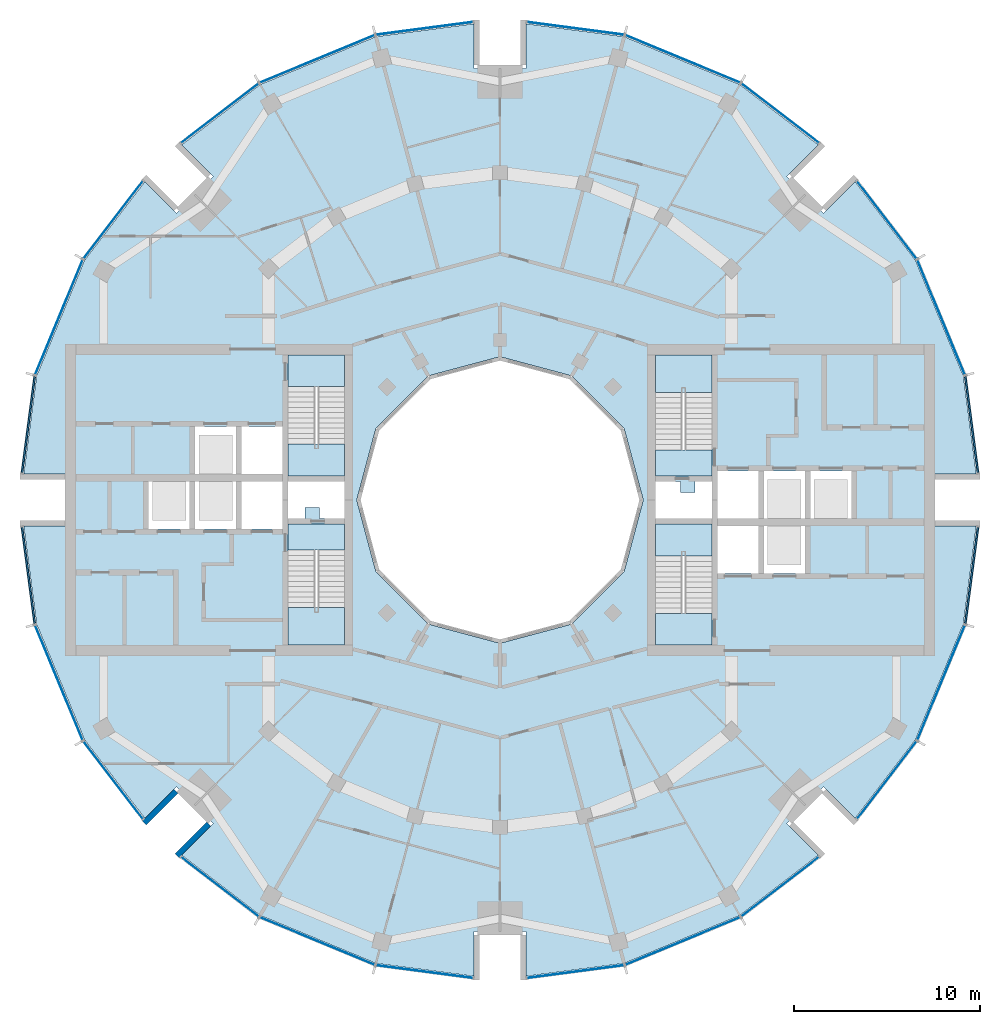
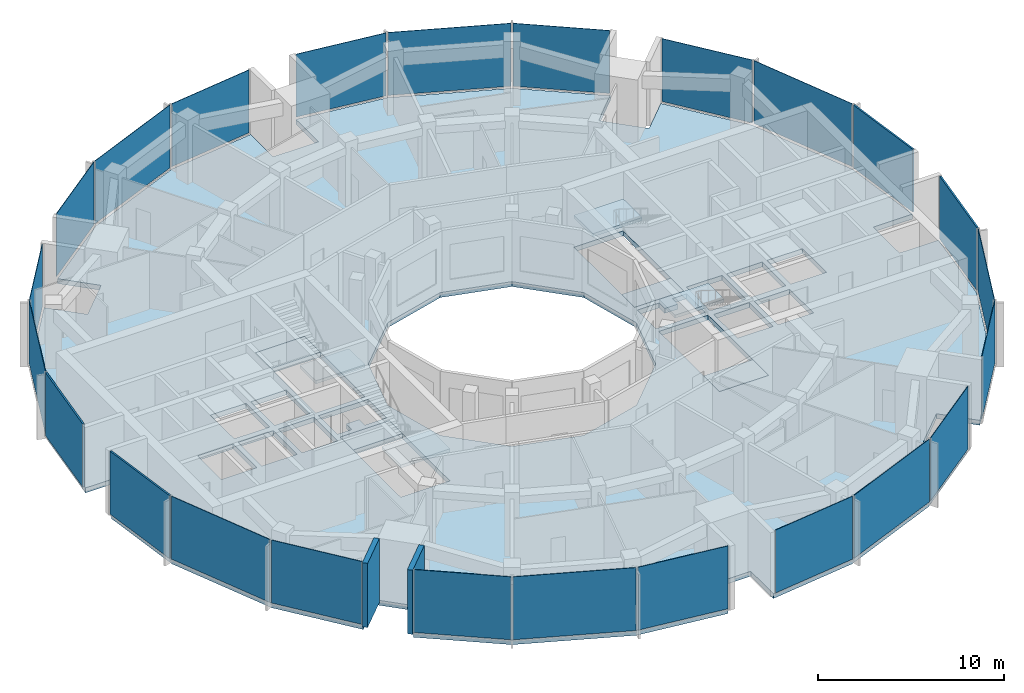
# One storey, part 7 of 15: 24 plates, 9 slabs, 2 walls, 28 elements without a shape of their own.
"""IFC4 building model written with IfcOpenShell, lengths in metres."""

import ifcopenshell
import ifcopenshell.guid

model = None  # the IFC model being written
_history = None  # IfcOwnerHistory: only IFC2X3 demands one
_inside = {}  # id of a spatial element -> (the spatial element, [elements in it])
_under = {}  # id of a project, library or spatial element -> (it, [spatial elements below it])
_declared = {}  # id of a project -> (the project, [libraries it declares])
_typed = {}  # id of a type object -> (the type object, [elements of that type])
_made_of = {}  # id of a material, layer set ... -> (it, [elements and type objects made of it])


def new_model(schema):
    """Start an empty IFC model of exactly this schema.

    Asked for "IFC4X3", IfcOpenShell would pick the latest addendum, in which some entities
    have other attributes; the version numbers below select the first issue.
    IFC2X3 requires an IfcOwnerHistory on every rooted entity: one is made here for all.
    """
    global model, _history
    if schema == "IFC4X3":
        model = ifcopenshell.file(schema_version=(4, 3, 0, 0))
    else:
        model = ifcopenshell.file(schema=schema)
    _inside.clear()
    _under.clear()
    _declared.clear()
    _typed.clear()
    _made_of.clear()
    _history = None
    if model.schema == "IFC2X3":
        org = make("IfcOrganization", Name="unknown")
        user = make(
            "IfcPersonAndOrganization",
            ThePerson=make("IfcPerson", FamilyName="unknown"),
            TheOrganization=org,
        )
        app = make(
            "IfcApplication",
            ApplicationDeveloper=org,
            Version="unknown",
            ApplicationFullName="unknown",
            ApplicationIdentifier="unknown",
        )
        _history = make(
            "IfcOwnerHistory",
            OwningUser=user,
            OwningApplication=app,
            ChangeAction="ADDED",
            CreationDate=0,
        )
    return model


def make(cls, **values):
    """One entity of the class cls with the attributes given. An attribute that is None is left unset."""
    return model.create_entity(
        cls, **{name: value for name, value in values.items() if value is not None}
    )


def rooted(cls, **values):
    """An entity with a GlobalId (a new one), such as an element, a storey or a relation."""
    return make(cls, GlobalId=ifcopenshell.guid.new(), OwnerHistory=_history, **values)


def si_unit(unit_type, name, prefix=None):
    """IfcSIUnit, for example si_unit("LENGTHUNIT", "METRE", prefix="MILLI")."""
    return make("IfcSIUnit", UnitType=unit_type, Prefix=prefix, Name=name)


def assignment(units):
    """IfcUnitAssignment: the units of a project."""
    return None if units is None else make("IfcUnitAssignment", Units=units)


def point(xyz):
    """IfcCartesianPoint."""
    return None if xyz is None else make("IfcCartesianPoint", Coordinates=xyz)


def direction(xyz):
    """IfcDirection."""
    return None if xyz is None else make("IfcDirection", DirectionRatios=xyz)


def frame(location, z_axis=None, x_axis=None):
    """IfcAxis2Placement3D, a coordinate frame: its origin and axes. An axis left out is left unset."""
    return make(
        "IfcAxis2Placement3D",
        Location=point(location),
        Axis=direction(z_axis),
        RefDirection=direction(x_axis),
    )


def frame_2d(location, x_axis=None):
    """IfcAxis2Placement2D, a coordinate frame in the plane: its origin and x axis."""
    return make(
        "IfcAxis2Placement2D", Location=point(location), RefDirection=direction(x_axis)
    )


def origin():
    """The frame at (0, 0, 0) with its axes left unset."""
    return frame((0.0, 0.0, 0.0))


def origin_2d():
    """The frame at (0, 0) in the plane with its x axis left unset."""
    return frame_2d((0.0, 0.0))


def place(relative_to, where):
    """IfcLocalPlacement: puts the frame where relative to a parent placement (None: the world)."""
    return make(
        "IfcLocalPlacement", PlacementRelTo=relative_to, RelativePlacement=where
    )


def context(
    kind, dimensions, precision=None, world=None, true_north=None, identifier=None
):
    """IfcGeometricRepresentationContext, for example the 3D "Model" context."""
    return make(
        "IfcGeometricRepresentationContext",
        ContextIdentifier=identifier,
        ContextType=kind,
        CoordinateSpaceDimension=dimensions,
        Precision=precision,
        WorldCoordinateSystem=world,
        TrueNorth=true_north,
    )


def subcontext(parent, identifier, kind, view, scale=None):
    """IfcGeometricRepresentationSubContext, for example "Body" below "Model"."""
    return make(
        "IfcGeometricRepresentationSubContext",
        ContextIdentifier=identifier,
        ContextType=kind,
        ParentContext=parent,
        TargetScale=scale,
        TargetView=view,
    )


def project(units=None, contexts=None):
    """IfcProject with its units and contexts."""
    return rooted(
        "IfcProject",
        Name="project",
        RepresentationContexts=contexts,
        UnitsInContext=assignment(units),
    )


def spatial(cls, under=None, at=None, **own):
    """A site, building, storey or space (cls), placed at a placement, below another one or the project."""
    s = rooted(cls, ObjectPlacement=at, **own)
    if under is not None:
        _under.setdefault(under.id(), (under, []))[1].append(s)
    return s


def polyline(points):
    """IfcPolyline through the points."""
    return make("IfcPolyline", Points=[point(p) for p in points])


def profile(cls, at=None, kind="AREA", **sizes):
    """A parametric profile (cls). Its sizes go by their IFC names, for example OverallWidth=200.0."""
    return make(cls, ProfileType=kind, Position=at, **sizes)


def rectangle(**sizes):
    """IfcRectangleProfileDef."""
    return profile("IfcRectangleProfileDef", **sizes)


def outline(outer, holes=None, kind="AREA"):
    """IfcArbitraryClosedProfileDef: a profile drawn as a closed curve; with holes, ...WithVoids."""
    if holes is None:
        return make("IfcArbitraryClosedProfileDef", ProfileType=kind, OuterCurve=outer)
    return make(
        "IfcArbitraryProfileDefWithVoids",
        ProfileType=kind,
        OuterCurve=outer,
        InnerCurves=holes,
    )


def extrude(swept, where, along, depth):
    """IfcExtrudedAreaSolid: the profile swept, set in the frame where, extruded along a direction by depth."""
    return make(
        "IfcExtrudedAreaSolid",
        SweptArea=swept,
        Position=where,
        ExtrudedDirection=direction(along),
        Depth=depth,
    )


def shape(context_of_items, identifier, shape_type, items):
    """IfcShapeRepresentation: the items that make up one representation, for example the "Body"."""
    return make(
        "IfcShapeRepresentation",
        ContextOfItems=context_of_items,
        RepresentationIdentifier=identifier,
        RepresentationType=shape_type,
        Items=items,
    )


def material(Name=None, Category=None):
    """IfcMaterial."""
    return make("IfcMaterial", Name=Name, Category=Category)


def layer(
    of_material, thickness, ventilated=None, Name=None, Category=None, Priority=None
):
    """IfcMaterialLayer: one layer of a wall or slab, of a material (None: an air gap)."""
    return make(
        "IfcMaterialLayer",
        Material=of_material,
        LayerThickness=thickness,
        IsVentilated=ventilated,
        Name=Name,
        Category=Category,
        Priority=Priority,
    )


def layer_set(layers, Name=None):
    """IfcMaterialLayerSet."""
    return make("IfcMaterialLayerSet", MaterialLayers=layers, LayerSetName=Name)


def made_of(thing, what):
    """Note that an element or type object is made of a material, layer set ...; save() writes the relation."""
    if what is not None:
        _made_of.setdefault(what.id(), (what, []))[1].append(thing)
    return thing


def type_object(cls, material=None, **own):
    """A type object (cls), such as IfcWallType, which elements share."""
    return made_of(rooted(cls, **own), material)


def element(
    cls,
    number,
    at=None,
    inside=None,
    cuts=None,
    type_object=None,
    material=None,
    context=None,
    identifier="Body",
    shape_type=None,
    held_by="IfcProductDefinitionShape",
    body=None,
    shapes=None,
    **own,
):
    """One element of the class cls, such as IfcWall. Its Tag is "e" and its number.

    at: its placement. inside: the storey or other place that contains it. cuts: it is an
    opening in that element (IfcRelVoidsElement). A single representation is given by context,
    identifier, shape_type and body (its items); several are given by shapes. held_by: the class
    of the entity that holds the representations. save() writes the other relations.
    """
    e = rooted(cls, Tag="e%d" % number, ObjectPlacement=at, **own)
    if body is not None:
        shapes = [shape(context, identifier, shape_type, body)]
    if shapes is not None:
        e.Representation = make(held_by, Representations=shapes)
    if inside is not None:
        _inside.setdefault(inside.id(), (inside, []))[1].append(e)
    if cuts is not None:
        rooted(
            "IfcRelVoidsElement", RelatingBuildingElement=cuts, RelatedOpeningElement=e
        )
    if type_object is not None:
        _typed.setdefault(type_object.id(), (type_object, []))[1].append(e)
    return made_of(e, material)


def aggregate(whole, parts):
    """IfcRelAggregates: a whole, such as a stair, and the parts it consists of."""
    return rooted("IfcRelAggregates", RelatingObject=whole, RelatedObjects=parts)


def save(model, path):
    """Write the relations noted so far, then the file.

    IfcRelAggregates (storeys below a building ...), IfcRelContainedInSpatialStructure (elements
    in a storey), IfcRelDefinesByType, IfcRelAssociatesMaterial and IfcRelDeclares: one each for
    every whole, place, type object, material and project.
    """
    for whole, parts in _under.values():
        aggregate(whole, parts)
    for where, things in _inside.values():
        rooted(
            "IfcRelContainedInSpatialStructure",
            RelatedElements=things,
            RelatingStructure=where,
        )
    for kind, things in _typed.values():
        rooted("IfcRelDefinesByType", RelatedObjects=things, RelatingType=kind)
    for what, things in _made_of.values():
        rooted("IfcRelAssociatesMaterial", RelatedObjects=things, RelatingMaterial=what)
    for by, libraries in _declared.values():
        rooted("IfcRelDeclares", RelatingContext=by, RelatedDefinitions=libraries)
    model.write(path)


model = new_model("IFC4")

# Units and contexts
model_context = context("Model", 3, precision=1e-05, world=origin(), true_north=direction((0.0, 1.0)))
body_context = subcontext(model_context, "Body", "Model", "MODEL_VIEW")
ifc_project = project(units=[si_unit("LENGTHUNIT", "METRE"), si_unit("AREAUNIT", "SQUARE_METRE"), si_unit("VOLUMEUNIT", "CUBIC_METRE"), si_unit("PLANEANGLEUNIT", "RADIAN"), si_unit("MASSUNIT", "GRAM", prefix="KILO")], contexts=[model_context])

# Site, building, storey
site_placement = place(None, origin())
site = spatial("IfcSite", under=ifc_project, at=site_placement, CompositionType="ELEMENT")
building_placement = place(site_placement, origin())
building = spatial("IfcBuilding", under=site, at=building_placement, Name="Torre Brocal", CompositionType="ELEMENT")
storey_placement = place(building_placement, frame((0.0, 0.0, 241.5)))
storey = spatial("IfcBuildingStorey", under=building, at=storey_placement, Name="L55", CompositionType="ELEMENT", Elevation=241.5)

# Curtain wall, plate
ifc_material_1 = material(Name="Aluminium and glass", Category="aluminium")
ifc_layer_1 = layer(ifc_material_1, 0.199951171875)
ifc_layer_set_1 = layer_set([ifc_layer_1], Name="Aluminium and glass")
curtain_wall_type_1 = type_object("IfcCurtainWallType", Name="CW-1 CURTAIN WALL 4200 HIGH", PredefinedType="NOTDEFINED", material=ifc_layer_set_1)
curtain_wall_1_placement = place(storey_placement, origin())
curtain_wall_1 = element("IfcCurtainWall", 1, at=curtain_wall_1_placement, inside=storey, type_object=curtain_wall_type_1, Name="CW-1 RUN 2", PredefinedType="NOTDEFINED")
ifc_material_2 = material(Name="Glass, dark tinted laminated", Category="glass")
ifc_layer_2 = layer(ifc_material_2, 0.031982421875)
ifc_layer_set_2 = layer_set([ifc_layer_2], Name="Glass, dark tinted laminated")
plate_type_1 = type_object("IfcPlateType", Name="CW-1 GLASS PANEL 32", PredefinedType="CURTAIN_PANEL", material=ifc_layer_set_2)
plate_1_placement = place(storey_placement, frame((103.722900390625, 84.826416015625, 0.079833984375), z_axis=(0.0, 0.0, 1.0), x_axis=(-0.382683432333, 0.923879532525, 0.0)))
plate_1 = element("IfcPlate", 2, at=plate_1_placement, type_object=plate_type_1, Name="CW1-5 panel 1.1", PredefinedType="CURTAIN_PANEL", context=body_context, shape_type="SweptSolid", body=[
    extrude(rectangle(XDim=6.64111328125, YDim=0.031982421875, at=origin_2d()), origin(), (0.0, 0.0, 1.0), 4.1201171875),
])
aggregate(curtain_wall_1, [plate_1])

curtain_wall_2_placement = place(storey_placement, origin())
curtain_wall_2 = element("IfcCurtainWall", 3, at=curtain_wall_2_placement, inside=storey, type_object=curtain_wall_type_1, Name="CW-1 RUN 3", PredefinedType="NOTDEFINED")
plate_2_placement = place(storey_placement, frame((100.80126953125, 90.0712890625, 0.079833984375), z_axis=(0.0, 0.0, 1.0), x_axis=(-0.60876142905, 0.793353340259, 0.0)))
plate_2 = element("IfcPlate", 4, at=plate_2_placement, type_object=plate_type_1, Name="CW1-5 panel 1.1", PredefinedType="CURTAIN_PANEL", context=body_context, shape_type="SweptSolid", body=[
    extrude(rectangle(XDim=5.22900390625, YDim=0.031982421875, at=origin_2d()), origin(), (0.0, 0.0, 1.0), 4.1201171875),
])
aggregate(curtain_wall_2, [plate_2])

curtain_wall_3_placement = place(storey_placement, origin())
curtain_wall_3 = element("IfcCurtainWall", 5, at=curtain_wall_3_placement, inside=storey, type_object=curtain_wall_type_1, Name="CW-1 RUN 4", PredefinedType="NOTDEFINED")
plate_3_placement = place(storey_placement, frame((95.0712890625, 95.80126953125, 0.079833984375), z_axis=(0.0, 0.0, 1.0), x_axis=(-0.793353340259, 0.60876142905, 0.0)))
plate_3 = element("IfcPlate", 6, at=plate_3_placement, type_object=plate_type_1, Name="CW1-5 panel 1.1", PredefinedType="CURTAIN_PANEL", context=body_context, shape_type="SweptSolid", body=[
    extrude(rectangle(XDim=5.22900390625, YDim=0.031982421875, at=origin_2d()), origin(), (0.0, 0.0, 1.0), 4.1201171875),
])
aggregate(curtain_wall_3, [plate_3])

curtain_wall_4_placement = place(storey_placement, origin())
curtain_wall_4 = element("IfcCurtainWall", 7, at=curtain_wall_4_placement, inside=storey, type_object=curtain_wall_type_1, Name="CW-1 RUN 5", PredefinedType="NOTDEFINED")
plate_4_placement = place(storey_placement, frame((89.826416015625, 98.722900390625, 0.079833984375), z_axis=(0.0, 0.0, 1.0), x_axis=(-0.923879532525, 0.382683432333, 0.0)))
plate_4 = element("IfcPlate", 8, at=plate_4_placement, type_object=plate_type_1, Name="CW1-5 panel 1.1", PredefinedType="CURTAIN_PANEL", context=body_context, shape_type="SweptSolid", body=[
    extrude(rectangle(XDim=6.64111328125, YDim=0.031982421875, at=origin_2d()), origin(), (0.0, 0.0, 1.0), 4.1201171875),
])
aggregate(curtain_wall_4, [plate_4])

curtain_wall_5_placement = place(storey_placement, origin())
curtain_wall_5 = element("IfcCurtainWall", 9, at=curtain_wall_5_placement, inside=storey, type_object=curtain_wall_type_1, Name="CW-1 RUN 6", PredefinedType="NOTDEFINED")
plate_5_placement = place(storey_placement, frame((84.051513671875, 100.36572265625, 0.079833984375), z_axis=(0.0, 0.0, 1.0), x_axis=(-0.991444861374, 0.13052619222, 0.0)))
plate_5 = element("IfcPlate", 10, at=plate_5_placement, type_object=plate_type_1, Name="CW1-5 panel 1.1", PredefinedType="CURTAIN_PANEL", context=body_context, shape_type="SweptSolid", body=[
    extrude(rectangle(XDim=5.22900390625, YDim=0.031982421875, at=origin_2d()), origin(), (0.0, 0.0, 1.0), 4.1201171875),
])
aggregate(curtain_wall_5, [plate_5])

curtain_wall_6_placement = place(storey_placement, origin())
curtain_wall_6 = element("IfcCurtainWall", 11, at=curtain_wall_6_placement, inside=storey, type_object=curtain_wall_type_1, Name="CW-1 RUN 7", PredefinedType="NOTDEFINED")
plate_6_placement = place(storey_placement, frame((75.948486328125, 100.36572265625, 0.079833984375), z_axis=(0.0, 0.0, 1.0), x_axis=(-0.991444861374, -0.13052619222, 0.0)))
plate_6 = element("IfcPlate", 12, at=plate_6_placement, type_object=plate_type_1, Name="CW1-5 panel 1.1", PredefinedType="CURTAIN_PANEL", context=body_context, shape_type="SweptSolid", body=[
    extrude(rectangle(XDim=5.22900390625, YDim=0.031982421875, at=origin_2d()), origin(), (0.0, 0.0, 1.0), 4.1201171875),
])
aggregate(curtain_wall_6, [plate_6])

curtain_wall_7_placement = place(storey_placement, origin())
curtain_wall_7 = element("IfcCurtainWall", 13, at=curtain_wall_7_placement, inside=storey, type_object=curtain_wall_type_1, Name="CW-1 RUN 8", PredefinedType="NOTDEFINED")
plate_7_placement = place(storey_placement, frame((70.173583984375, 98.722900390625, 0.079833984375), z_axis=(0.0, 0.0, 1.0), x_axis=(-0.923879532525, -0.382683432333, 0.0)))
plate_7 = element("IfcPlate", 14, at=plate_7_placement, type_object=plate_type_1, Name="CW1-5 panel 1.1", PredefinedType="CURTAIN_PANEL", context=body_context, shape_type="SweptSolid", body=[
    extrude(rectangle(XDim=6.64111328125, YDim=0.031982421875, at=origin_2d()), origin(), (0.0, 0.0, 1.0), 4.1201171875),
])
aggregate(curtain_wall_7, [plate_7])

curtain_wall_8_placement = place(storey_placement, origin())
curtain_wall_8 = element("IfcCurtainWall", 15, at=curtain_wall_8_placement, inside=storey, type_object=curtain_wall_type_1, Name="CW-1 RUN 9", PredefinedType="NOTDEFINED")
plate_8_placement = place(storey_placement, frame((64.9287109375, 95.80126953125, 0.079833984375), z_axis=(0.0, 0.0, 1.0), x_axis=(-0.793353340259, -0.60876142905, 0.0)))
plate_8 = element("IfcPlate", 16, at=plate_8_placement, type_object=plate_type_1, Name="CW1-5 panel 1.1", PredefinedType="CURTAIN_PANEL", context=body_context, shape_type="SweptSolid", body=[
    extrude(rectangle(XDim=5.22900390625, YDim=0.031982421875, at=origin_2d()), origin(), (0.0, 0.0, 1.0), 4.1201171875),
])
aggregate(curtain_wall_8, [plate_8])

curtain_wall_9_placement = place(storey_placement, origin())
curtain_wall_9 = element("IfcCurtainWall", 17, at=curtain_wall_9_placement, inside=storey, type_object=curtain_wall_type_1, Name="CW-1 RUN 10", PredefinedType="NOTDEFINED")
plate_9_placement = place(storey_placement, frame((59.19873046875, 90.0712890625, 0.079833984375), z_axis=(0.0, 0.0, 1.0), x_axis=(-0.60876142905, -0.793353340259, 0.0)))
plate_9 = element("IfcPlate", 18, at=plate_9_placement, type_object=plate_type_1, Name="CW1-5 panel 1.1", PredefinedType="CURTAIN_PANEL", context=body_context, shape_type="SweptSolid", body=[
    extrude(rectangle(XDim=5.22900390625, YDim=0.031982421875, at=origin_2d()), origin(), (0.0, 0.0, 1.0), 4.1201171875),
])
aggregate(curtain_wall_9, [plate_9])

curtain_wall_10_placement = place(storey_placement, origin())
curtain_wall_10 = element("IfcCurtainWall", 19, at=curtain_wall_10_placement, inside=storey, type_object=curtain_wall_type_1, Name="CW-1 RUN 11", PredefinedType="NOTDEFINED")
plate_10_placement = place(storey_placement, frame((56.277099609375, 84.826416015625, 0.079833984375), z_axis=(0.0, 0.0, 1.0), x_axis=(-0.382683432333, -0.923879532525, 0.0)))
plate_10 = element("IfcPlate", 20, at=plate_10_placement, type_object=plate_type_1, Name="CW1-5 panel 1.1", PredefinedType="CURTAIN_PANEL", context=body_context, shape_type="SweptSolid", body=[
    extrude(rectangle(XDim=6.64111328125, YDim=0.031982421875, at=origin_2d()), origin(), (0.0, 0.0, 1.0), 4.1201171875),
])
aggregate(curtain_wall_10, [plate_10])

curtain_wall_11_placement = place(storey_placement, origin())
curtain_wall_11 = element("IfcCurtainWall", 21, at=curtain_wall_11_placement, inside=storey, type_object=curtain_wall_type_1, Name="CW-1 RUN 14", PredefinedType="NOTDEFINED")
plate_11_placement = place(storey_placement, frame((56.277099609375, 65.173583984375, 0.079833984375), z_axis=(0.0, 0.0, 1.0), x_axis=(0.382683432333, -0.923879532525, 0.0)))
plate_11 = element("IfcPlate", 22, at=plate_11_placement, type_object=plate_type_1, Name="CW1-5 panel 1.1", PredefinedType="CURTAIN_PANEL", context=body_context, shape_type="SweptSolid", body=[
    extrude(rectangle(XDim=6.64111328125, YDim=0.031982421875, at=origin_2d()), origin(), (0.0, 0.0, 1.0), 4.1201171875),
])
aggregate(curtain_wall_11, [plate_11])

curtain_wall_12_placement = place(storey_placement, origin())
curtain_wall_12 = element("IfcCurtainWall", 23, at=curtain_wall_12_placement, inside=storey, type_object=curtain_wall_type_1, Name="CW-1 RUN 15", PredefinedType="NOTDEFINED")
plate_12_placement = place(storey_placement, frame((59.19873046875, 59.9287109375, 0.079833984375), z_axis=(0.0, 0.0, 1.0), x_axis=(0.60876142905, -0.793353340259, 0.0)))
plate_12 = element("IfcPlate", 24, at=plate_12_placement, type_object=plate_type_1, Name="CW1-5 panel 1.1", PredefinedType="CURTAIN_PANEL", context=body_context, shape_type="SweptSolid", body=[
    extrude(rectangle(XDim=5.22900390625, YDim=0.031982421875, at=origin_2d()), origin(), (0.0, 0.0, 1.0), 4.1201171875),
])
aggregate(curtain_wall_12, [plate_12])

curtain_wall_13_placement = place(storey_placement, origin())
curtain_wall_13 = element("IfcCurtainWall", 25, at=curtain_wall_13_placement, inside=storey, type_object=curtain_wall_type_1, Name="CW-1 RUN 16", PredefinedType="NOTDEFINED")
plate_13_placement = place(storey_placement, frame((64.9287109375, 54.19873046875, 0.079833984375), z_axis=(0.0, 0.0, 1.0), x_axis=(0.793353340259, -0.60876142905, 0.0)))
plate_13 = element("IfcPlate", 26, at=plate_13_placement, type_object=plate_type_1, Name="CW1-5 panel 1.1", PredefinedType="CURTAIN_PANEL", context=body_context, shape_type="SweptSolid", body=[
    extrude(rectangle(XDim=5.22900390625, YDim=0.031982421875, at=origin_2d()), origin(), (0.0, 0.0, 1.0), 4.1201171875),
])
aggregate(curtain_wall_13, [plate_13])

curtain_wall_14_placement = place(storey_placement, origin())
curtain_wall_14 = element("IfcCurtainWall", 27, at=curtain_wall_14_placement, inside=storey, type_object=curtain_wall_type_1, Name="CW-1 RUN 17", PredefinedType="NOTDEFINED")
plate_14_placement = place(storey_placement, frame((70.173583984375, 51.277099609375, 0.079833984375), z_axis=(0.0, 0.0, 1.0), x_axis=(0.923879532525, -0.382683432333, 0.0)))
plate_14 = element("IfcPlate", 28, at=plate_14_placement, type_object=plate_type_1, Name="CW1-5 panel 1.1", PredefinedType="CURTAIN_PANEL", context=body_context, shape_type="SweptSolid", body=[
    extrude(rectangle(XDim=6.64111328125, YDim=0.031982421875, at=origin_2d()), origin(), (0.0, 0.0, 1.0), 4.1201171875),
])
aggregate(curtain_wall_14, [plate_14])

curtain_wall_15_placement = place(storey_placement, origin())
curtain_wall_15 = element("IfcCurtainWall", 29, at=curtain_wall_15_placement, inside=storey, type_object=curtain_wall_type_1, Name="CW-1 RUN 18", PredefinedType="NOTDEFINED")
plate_15_placement = place(storey_placement, frame((75.948486328125, 49.63427734375, 0.079833984375), z_axis=(0.0, 0.0, 1.0), x_axis=(0.991444861374, -0.13052619222, 0.0)))
plate_15 = element("IfcPlate", 30, at=plate_15_placement, type_object=plate_type_1, Name="CW1-5 panel 1.1", PredefinedType="CURTAIN_PANEL", context=body_context, shape_type="SweptSolid", body=[
    extrude(rectangle(XDim=5.22900390625, YDim=0.031982421875, at=origin_2d()), origin(), (0.0, 0.0, 1.0), 4.1201171875),
])
aggregate(curtain_wall_15, [plate_15])

curtain_wall_16_placement = place(storey_placement, origin())
curtain_wall_16 = element("IfcCurtainWall", 31, at=curtain_wall_16_placement, inside=storey, type_object=curtain_wall_type_1, Name="CW-1 RUN 19", PredefinedType="NOTDEFINED")
plate_16_placement = place(storey_placement, frame((84.051513671875, 49.63427734375, 0.079833984375), z_axis=(0.0, 0.0, 1.0), x_axis=(0.991444861374, 0.13052619222, 0.0)))
plate_16 = element("IfcPlate", 32, at=plate_16_placement, type_object=plate_type_1, Name="CW1-5 panel 1.1", PredefinedType="CURTAIN_PANEL", context=body_context, shape_type="SweptSolid", body=[
    extrude(rectangle(XDim=5.22900390625, YDim=0.031982421875, at=origin_2d()), origin(), (0.0, 0.0, 1.0), 4.1201171875),
])
aggregate(curtain_wall_16, [plate_16])

curtain_wall_17_placement = place(storey_placement, origin())
curtain_wall_17 = element("IfcCurtainWall", 33, at=curtain_wall_17_placement, inside=storey, type_object=curtain_wall_type_1, Name="CW-1 RUN 20", PredefinedType="NOTDEFINED")
plate_17_placement = place(storey_placement, frame((89.826416015625, 51.277099609375, 0.079833984375), z_axis=(0.0, 0.0, 1.0), x_axis=(0.923879532525, 0.382683432333, 0.0)))
plate_17 = element("IfcPlate", 34, at=plate_17_placement, type_object=plate_type_1, Name="CW1-5 panel 1.1", PredefinedType="CURTAIN_PANEL", context=body_context, shape_type="SweptSolid", body=[
    extrude(rectangle(XDim=6.64111328125, YDim=0.031982421875, at=origin_2d()), origin(), (0.0, 0.0, 1.0), 4.1201171875),
])
aggregate(curtain_wall_17, [plate_17])

curtain_wall_18_placement = place(storey_placement, origin())
curtain_wall_18 = element("IfcCurtainWall", 35, at=curtain_wall_18_placement, inside=storey, type_object=curtain_wall_type_1, Name="CW-1 RUN 21", PredefinedType="NOTDEFINED")
plate_18_placement = place(storey_placement, frame((95.0712890625, 54.19873046875, 0.079833984375), z_axis=(0.0, 0.0, 1.0), x_axis=(0.793353340259, 0.60876142905, 0.0)))
plate_18 = element("IfcPlate", 36, at=plate_18_placement, type_object=plate_type_1, Name="CW1-5 panel 1.1", PredefinedType="CURTAIN_PANEL", context=body_context, shape_type="SweptSolid", body=[
    extrude(rectangle(XDim=5.22900390625, YDim=0.031982421875, at=origin_2d()), origin(), (0.0, 0.0, 1.0), 4.1201171875),
])
aggregate(curtain_wall_18, [plate_18])

curtain_wall_19_placement = place(storey_placement, origin())
curtain_wall_19 = element("IfcCurtainWall", 37, at=curtain_wall_19_placement, inside=storey, type_object=curtain_wall_type_1, Name="CW-1 RUN 22", PredefinedType="NOTDEFINED")
plate_19_placement = place(storey_placement, frame((100.80126953125, 59.9287109375, 0.079833984375), z_axis=(0.0, 0.0, 1.0), x_axis=(0.60876142905, 0.793353340259, 0.0)))
plate_19 = element("IfcPlate", 38, at=plate_19_placement, type_object=plate_type_1, Name="CW1-5 panel 1.1", PredefinedType="CURTAIN_PANEL", context=body_context, shape_type="SweptSolid", body=[
    extrude(rectangle(XDim=5.22900390625, YDim=0.031982421875, at=origin_2d()), origin(), (0.0, 0.0, 1.0), 4.1201171875),
])
aggregate(curtain_wall_19, [plate_19])

curtain_wall_20_placement = place(storey_placement, origin())
curtain_wall_20 = element("IfcCurtainWall", 39, at=curtain_wall_20_placement, inside=storey, type_object=curtain_wall_type_1, Name="CW-1 RUN 23", PredefinedType="NOTDEFINED")
plate_20_placement = place(storey_placement, frame((103.722900390625, 65.173583984375, 0.079833984375), z_axis=(0.0, 0.0, 1.0), x_axis=(0.382683432333, 0.923879532525, 0.0)))
plate_20 = element("IfcPlate", 40, at=plate_20_placement, type_object=plate_type_1, Name="CW1-5 panel 1.1", PredefinedType="CURTAIN_PANEL", context=body_context, shape_type="SweptSolid", body=[
    extrude(rectangle(XDim=6.64111328125, YDim=0.031982421875, at=origin_2d()), origin(), (0.0, 0.0, 1.0), 4.1201171875),
])
aggregate(curtain_wall_20, [plate_20])

ifc_material_3 = material(Name="Aluminium and glass", Category="aluminium")
ifc_layer_3 = layer(ifc_material_3, 0.199951171875)
ifc_layer_set_3 = layer_set([ifc_layer_3], Name="Aluminium and glass")
curtain_wall_type_2 = type_object("IfcCurtainWallType", Name="CW-1B CURTAIN WALL 4200 HIGH", PredefinedType="NOTDEFINED", material=ifc_layer_set_3)
curtain_wall_21_placement = place(storey_placement, origin())
curtain_wall_21 = element("IfcCurtainWall", 41, at=curtain_wall_21_placement, inside=storey, type_object=curtain_wall_type_2, Name="CW-1B RUN 1", PredefinedType="NOTDEFINED")
ifc_material_4 = material(Name="Aluminium composite panel", Category="aluminium")
ifc_layer_4 = layer(ifc_material_4, 0.10009765625)
ifc_layer_set_4 = layer_set([ifc_layer_4], Name="Aluminium composite panel")
plate_type_2 = type_object("IfcPlateType", Name="CW-1B OPAQUE PANEL 100", PredefinedType="CURTAIN_PANEL", material=ifc_layer_set_4)
plate_21_placement = place(storey_placement, frame((105.36572265625, 79.051513671875, 0.079833984375), z_axis=(0.0, 0.0, 1.0), x_axis=(-0.13052619222, 0.991444861374, 0.0)))
plate_21 = element("IfcPlate", 42, at=plate_21_placement, type_object=plate_type_2, Name="CW1B-5 panel 1.1", PredefinedType="CURTAIN_PANEL", context=body_context, shape_type="SweptSolid", body=[
    extrude(rectangle(XDim=5.22900390625, YDim=0.10009765625, at=origin_2d()), origin(), (0.0, 0.0, 1.0), 4.1201171875),
])
aggregate(curtain_wall_21, [plate_21])

curtain_wall_22_placement = place(storey_placement, origin())
curtain_wall_22 = element("IfcCurtainWall", 43, at=curtain_wall_22_placement, inside=storey, type_object=curtain_wall_type_2, Name="CW-1B RUN 12", PredefinedType="NOTDEFINED")
plate_22_placement = place(storey_placement, frame((54.63427734375, 79.051513671875, 0.079833984375), z_axis=(0.0, 0.0, 1.0), x_axis=(-0.13052619222, -0.991444861374, 0.0)))
plate_22 = element("IfcPlate", 44, at=plate_22_placement, type_object=plate_type_2, Name="CW1B-5 panel 1.1", PredefinedType="CURTAIN_PANEL", context=body_context, shape_type="SweptSolid", body=[
    extrude(rectangle(XDim=5.22900390625, YDim=0.10009765625, at=origin_2d()), origin(), (0.0, 0.0, 1.0), 4.1201171875),
])
aggregate(curtain_wall_22, [plate_22])

curtain_wall_23_placement = place(storey_placement, origin())
curtain_wall_23 = element("IfcCurtainWall", 45, at=curtain_wall_23_placement, inside=storey, type_object=curtain_wall_type_2, Name="CW-1B RUN 13", PredefinedType="NOTDEFINED")
plate_23_placement = place(storey_placement, frame((54.63427734375, 70.948486328125, 0.079833984375), z_axis=(0.0, 0.0, 1.0), x_axis=(0.13052619222, -0.991444861374, 0.0)))
plate_23 = element("IfcPlate", 46, at=plate_23_placement, type_object=plate_type_2, Name="CW1B-5 panel 1.1", PredefinedType="CURTAIN_PANEL", context=body_context, shape_type="SweptSolid", body=[
    extrude(rectangle(XDim=5.22900390625, YDim=0.10009765625, at=origin_2d()), origin(), (0.0, 0.0, 1.0), 4.1201171875),
])
aggregate(curtain_wall_23, [plate_23])

curtain_wall_24_placement = place(storey_placement, origin())
curtain_wall_24 = element("IfcCurtainWall", 47, at=curtain_wall_24_placement, inside=storey, type_object=curtain_wall_type_2, Name="CW-1B RUN 24", PredefinedType="NOTDEFINED")
plate_24_placement = place(storey_placement, frame((105.36572265625, 70.948486328125, 0.079833984375), z_axis=(0.0, 0.0, 1.0), x_axis=(0.13052619222, 0.991444861374, 0.0)))
plate_24 = element("IfcPlate", 48, at=plate_24_placement, type_object=plate_type_2, Name="CW1B-5 panel 1.1", PredefinedType="CURTAIN_PANEL", context=body_context, shape_type="SweptSolid", body=[
    extrude(rectangle(XDim=5.22900390625, YDim=0.10009765625, at=origin_2d()), origin(), (0.0, 0.0, 1.0), 4.1201171875),
])
aggregate(curtain_wall_24, [plate_24])

# Stair, slab
ifc_material_5 = material(Name="Concrete C50", Category="concrete")
stair_type = type_object("IfcStairType", Name="EXIT STAIR", PredefinedType="HALF_TURN_STAIR", material=ifc_material_5)
stair_1_placement = place(storey_placement, origin())
stair_1 = element("IfcStair", 49, at=stair_1_placement, inside=storey, type_object=stair_type, Name="EXIT STAIR ST1", PredefinedType="HALF_TURN_STAIR")
ifc_material_6 = material(Name="Concrete C50", Category="concrete")
ifc_layer_5 = layer(ifc_material_6, 0.320068359375)
ifc_layer_set_5 = layer_set([ifc_layer_5], Name="Concrete C50")
slab_type_1 = type_object("IfcSlabType", Name="FLOOR LANDING 320", PredefinedType="LANDING", material=ifc_layer_set_5)
slab_1_placement = place(storey_placement, frame((0.0, 0.0, -0.320068359375)))
slab_1 = element("IfcSlab", 50, at=slab_1_placement, type_object=slab_type_1, Name="ST1 landing 1", PredefinedType="LANDING", context=body_context, shape_type="SweptSolid", body=[
    extrude(outline(polyline([(88.35009765625, 76.300048828125), (91.39990234375, 76.300048828125), (91.39990234375, 77.699951171875), (88.35009765625, 77.699951171875), (88.35009765625, 76.300048828125)])), origin(), (0.0, 0.0, 1.0), 0.320068359375),
])

stair_2_placement = place(storey_placement, origin())
stair_2 = element("IfcStair", 51, at=stair_2_placement, inside=storey, type_object=stair_type, Name="EXIT STAIR ST2", PredefinedType="HALF_TURN_STAIR")
slab_2_placement = place(storey_placement, frame((0.0, 0.0, -0.320068359375)))
slab_2 = element("IfcSlab", 52, at=slab_2_placement, type_object=slab_type_1, Name="ST2 landing 1", PredefinedType="LANDING", context=body_context, shape_type="SweptSolid", body=[
    extrude(outline(polyline([(88.35009765625, 67.199951171875), (91.39990234375, 67.199951171875), (91.39990234375, 68.89990234375), (88.35009765625, 68.89990234375), (88.35009765625, 67.199951171875)])), origin(), (0.0, 0.0, 1.0), 0.320068359375),
])

stair_3_placement = place(storey_placement, origin())
stair_3 = element("IfcStair", 53, at=stair_3_placement, inside=storey, type_object=stair_type, Name="EXIT STAIR ST3", PredefinedType="HALF_TURN_STAIR")
slab_3_placement = place(storey_placement, frame((0.0, 0.0, -0.320068359375)))
slab_3 = element("IfcSlab", 54, at=slab_3_placement, type_object=slab_type_1, Name="ST3 landing 1", PredefinedType="LANDING", context=body_context, shape_type="SweptSolid", body=[
    extrude(outline(polyline([(71.64990234375, 73.699951171875), (68.60009765625, 73.699951171875), (68.60009765625, 72.300048828125), (71.64990234375, 72.300048828125), (71.64990234375, 73.699951171875)])), origin(), (0.0, 0.0, 1.0), 0.320068359375),
])

stair_4_placement = place(storey_placement, origin())
stair_4 = element("IfcStair", 55, at=stair_4_placement, inside=storey, type_object=stair_type, Name="EXIT STAIR ST4", PredefinedType="HALF_TURN_STAIR")
slab_4_placement = place(storey_placement, frame((0.0, 0.0, -0.320068359375)))
slab_4 = element("IfcSlab", 56, at=slab_4_placement, type_object=slab_type_1, Name="ST4 landing 1", PredefinedType="LANDING", context=body_context, shape_type="SweptSolid", body=[
    extrude(outline(polyline([(71.64990234375, 82.800048828125), (68.60009765625, 82.800048828125), (68.60009765625, 81.10009765625), (71.64990234375, 81.10009765625), (71.64990234375, 82.800048828125)])), origin(), (0.0, 0.0, 1.0), 0.320068359375),
])

# Slab
ifc_material_7 = material(Name="Concrete C50", Category="concrete")
ifc_layer_6 = layer(ifc_material_7, 0.199951171875)
ifc_layer_set_6 = layer_set([ifc_layer_6], Name="Concrete C50")
slab_type_2 = type_object("IfcSlabType", Name="MID LANDING +2100", PredefinedType="LANDING", material=ifc_layer_set_6)
slab_5_placement = place(storey_placement, frame((0.0, 0.0, 1.89990234375)))
slab_5 = element("IfcSlab", 57, at=slab_5_placement, type_object=slab_type_2, Name="ST1 landing 2", PredefinedType="LANDING", context=body_context, shape_type="SweptSolid", body=[
    extrude(outline(polyline([(88.35009765625, 80.780029296875), (91.39990234375, 80.780029296875), (91.39990234375, 82.800048828125), (88.35009765625, 82.800048828125), (88.35009765625, 80.780029296875)])), origin(), (0.0, 0.0, 1.0), 0.2001953125),
])

aggregate(stair_1, [slab_1, slab_5])

slab_6_placement = place(storey_placement, frame((0.0, 0.0, 1.89990234375)))
slab_6 = element("IfcSlab", 58, at=slab_6_placement, type_object=slab_type_2, Name="ST2 landing 2", PredefinedType="LANDING", context=body_context, shape_type="SweptSolid", body=[
    extrude(outline(polyline([(88.35009765625, 71.97998046875), (91.39990234375, 71.97998046875), (91.39990234375, 73.699951171875), (88.35009765625, 73.699951171875), (88.35009765625, 71.97998046875)])), origin(), (0.0, 0.0, 1.0), 0.2001953125),
])

aggregate(stair_2, [slab_2, slab_6])

slab_7_placement = place(storey_placement, frame((0.0, 0.0, 1.89990234375)))
slab_7 = element("IfcSlab", 59, at=slab_7_placement, type_object=slab_type_2, Name="ST3 landing 2", PredefinedType="LANDING", context=body_context, shape_type="SweptSolid", body=[
    extrude(outline(polyline([(71.64990234375, 69.219970703125), (68.60009765625, 69.219970703125), (68.60009765625, 67.199951171875), (71.64990234375, 67.199951171875), (71.64990234375, 69.219970703125)])), origin(), (0.0, 0.0, 1.0), 0.2001953125),
])

aggregate(stair_3, [slab_3, slab_7])

slab_8_placement = place(storey_placement, frame((0.0, 0.0, 1.89990234375)))
slab_8 = element("IfcSlab", 60, at=slab_8_placement, type_object=slab_type_2, Name="ST4 landing 2", PredefinedType="LANDING", context=body_context, shape_type="SweptSolid", body=[
    extrude(outline(polyline([(71.64990234375, 78.02001953125), (68.60009765625, 78.02001953125), (68.60009765625, 76.300048828125), (71.64990234375, 76.300048828125), (71.64990234375, 78.02001953125)])), origin(), (0.0, 0.0, 1.0), 0.2001953125),
])

aggregate(stair_4, [slab_4, slab_8])

ifc_material_8 = material(Name="Concrete C45", Category="concrete")
ifc_layer_7 = layer(ifc_material_8, 0.320068359375)
ifc_layer_set_7 = layer_set([ifc_layer_7], Name="Concrete C45")
slab_type_3 = type_object("IfcSlabType", Name="PT FLOOR SLAB 320 C45", PredefinedType="FLOOR", material=ifc_layer_set_7)
slab_9_placement = place(storey_placement, frame((0.0, 0.0, -0.320068359375)))
element("IfcSlab", 61, at=slab_9_placement, inside=storey, type_object=slab_type_3, Name="Slab ST-05", PredefinedType="FLOOR", context=body_context, shape_type="SweptSolid", body=[
    extrude(outline(polyline([(103.199951171875, 76.39990234375), (103.199951171875, 73.60009765625), (105.614013671875, 73.60009765625), (104.919189453125, 68.322998046875), (102.342041015625, 62.100830078125), (99.101806640625, 57.878173828125), (97.394775390625, 59.5849609375), (95.4150390625, 57.605224609375), (97.121826171875, 55.898193359375), (92.899169921875, 52.657958984375), (86.677001953125, 50.080810546875), (81.39990234375, 49.385986328125), (81.39990234375, 51.800048828125), (78.60009765625, 51.800048828125), (78.60009765625, 49.385986328125), (73.322998046875, 50.080810546875), (67.100830078125, 52.657958984375), (62.878173828125, 55.898193359375), (64.5849609375, 57.605224609375), (62.605224609375, 59.5849609375), (60.898193359375, 57.878173828125), (57.657958984375, 62.100830078125), (55.080810546875, 68.322998046875), (54.385986328125, 73.60009765625), (56.800048828125, 73.60009765625), (56.800048828125, 76.39990234375), (54.385986328125, 76.39990234375), (55.080810546875, 81.677001953125), (57.657958984375, 87.899169921875), (60.898193359375, 92.121826171875), (62.605224609375, 90.4150390625), (64.5849609375, 92.394775390625), (62.878173828125, 94.101806640625), (67.100830078125, 97.342041015625), (73.322998046875, 99.919189453125), (78.60009765625, 100.614013671875), (78.60009765625, 98.199951171875), (81.39990234375, 98.199951171875), (81.39990234375, 100.614013671875), (86.677001953125, 99.919189453125), (92.899169921875, 97.342041015625), (97.121826171875, 94.101806640625), (95.4150390625, 92.394775390625), (97.394775390625, 90.4150390625), (99.101806640625, 92.121826171875), (102.342041015625, 87.899169921875), (104.919189453125, 81.677001953125), (105.614013671875, 76.39990234375), (103.199951171875, 76.39990234375)]), holes=[polyline([(98.89990234375, 76.550048828125), (96.699951171875, 76.550048828125), (96.699951171875, 74.0), (98.89990234375, 74.0), (98.89990234375, 76.550048828125)]), polyline([(96.39990234375, 76.550048828125), (94.199951171875, 76.550048828125), (94.199951171875, 74.0), (96.39990234375, 74.0), (96.39990234375, 76.550048828125)]), polyline([(96.39990234375, 73.60009765625), (94.199951171875, 73.60009765625), (94.199951171875, 71.050048828125), (96.39990234375, 71.050048828125), (96.39990234375, 73.60009765625)]), polyline([(93.89990234375, 76.550048828125), (91.699951171875, 76.550048828125), (91.699951171875, 74.0), (93.89990234375, 74.0), (93.89990234375, 76.550048828125)]), polyline([(93.89990234375, 73.60009765625), (91.699951171875, 73.60009765625), (91.699951171875, 71.050048828125), (93.89990234375, 71.050048828125), (93.89990234375, 73.60009765625)]), polyline([(89.699951171875, 76.0), (88.35009765625, 76.0), (88.35009765625, 74.0), (91.39990234375, 74.0), (91.39990234375, 76.0), (90.5, 76.0), (90.5, 75.39990234375), (89.699951171875, 75.39990234375), (89.699951171875, 76.0)]), polyline([(91.39990234375, 82.800048828125), (88.35009765625, 82.800048828125), (88.35009765625, 76.300048828125), (91.39990234375, 76.300048828125), (91.39990234375, 82.800048828125)]), polyline([(91.39990234375, 73.699951171875), (88.35009765625, 73.699951171875), (88.35009765625, 67.199951171875), (91.39990234375, 67.199951171875), (91.39990234375, 73.699951171875)]), polyline([(80.0, 82.70703125), (76.146484375, 81.674560546875), (73.325439453125, 78.853515625), (72.29296875, 75.0), (73.325439453125, 71.146484375), (76.146484375, 68.325439453125), (80.0, 67.29296875), (83.853515625, 68.325439453125), (86.674560546875, 71.146484375), (87.70703125, 75.0), (86.674560546875, 78.853515625), (83.853515625, 81.674560546875), (80.0, 82.70703125)]), polyline([(70.300048828125, 74.0), (71.64990234375, 74.0), (71.64990234375, 76.0), (68.60009765625, 76.0), (68.60009765625, 74.0), (69.5, 74.0), (69.5, 74.60009765625), (70.300048828125, 74.60009765625), (70.300048828125, 74.0)]), polyline([(68.60009765625, 76.300048828125), (71.64990234375, 76.300048828125), (71.64990234375, 82.800048828125), (68.60009765625, 82.800048828125), (68.60009765625, 76.300048828125)]), polyline([(68.60009765625, 67.199951171875), (71.64990234375, 67.199951171875), (71.64990234375, 73.699951171875), (68.60009765625, 73.699951171875), (68.60009765625, 67.199951171875)]), polyline([(66.10009765625, 76.39990234375), (68.300048828125, 76.39990234375), (68.300048828125, 78.949951171875), (66.10009765625, 78.949951171875), (66.10009765625, 76.39990234375)]), polyline([(66.10009765625, 73.449951171875), (68.300048828125, 73.449951171875), (68.300048828125, 76.0), (66.10009765625, 76.0), (66.10009765625, 73.449951171875)]), polyline([(63.60009765625, 76.39990234375), (65.800048828125, 76.39990234375), (65.800048828125, 78.949951171875), (63.60009765625, 78.949951171875), (63.60009765625, 76.39990234375)]), polyline([(63.60009765625, 73.449951171875), (65.800048828125, 73.449951171875), (65.800048828125, 76.0), (63.60009765625, 76.0), (63.60009765625, 73.449951171875)]), polyline([(61.10009765625, 73.449951171875), (63.300048828125, 73.449951171875), (63.300048828125, 76.0), (61.10009765625, 76.0), (61.10009765625, 73.449951171875)])]), origin(), (0.0, 0.0, 1.0), 0.320068359375),
])

# Walls
ifc_material_9 = material(Name="Concrete C60", Category="concrete")
ifc_layer_8 = layer(ifc_material_9, 0.300048828125)
ifc_layer_set_8 = layer_set([ifc_layer_8], Name="Concrete C60")
wall_type = type_object("IfcWallType", Name="NOTCH RETURN WALL 300 C60", PredefinedType="NOTDEFINED", material=ifc_layer_set_8)
for number, where, z_axis, x_axis, name in (
    (62, (62.56982421875, 59.337646484375, 0.0), (0.0, 0.0, 1.0), (-0.707106781187, -0.707106781187, 0.0), "NOTCH RETURN WALL"),
    (63, (64.337646484375, 57.56982421875, 0.0), (0.0, 0.0, 1.0), (-0.707106781187, -0.707106781187, 0.0), "NOTCH RETURN WALL"),
):
    element("IfcWall", number, at=place(storey_placement, frame(where, z_axis=z_axis, x_axis=x_axis)), inside=storey, type_object=wall_type, Name=name, PredefinedType="NOTDEFINED", context=body_context, shape_type="SweptSolid", body=[
        extrude(rectangle(XDim=2.415771484375, YDim=0.300048828125, at=frame_2d((1.2080078125, 0.0))), origin(), (0.0, 0.0, 1.0), 4.199951171875),
    ])

save(model, "model.ifc")
